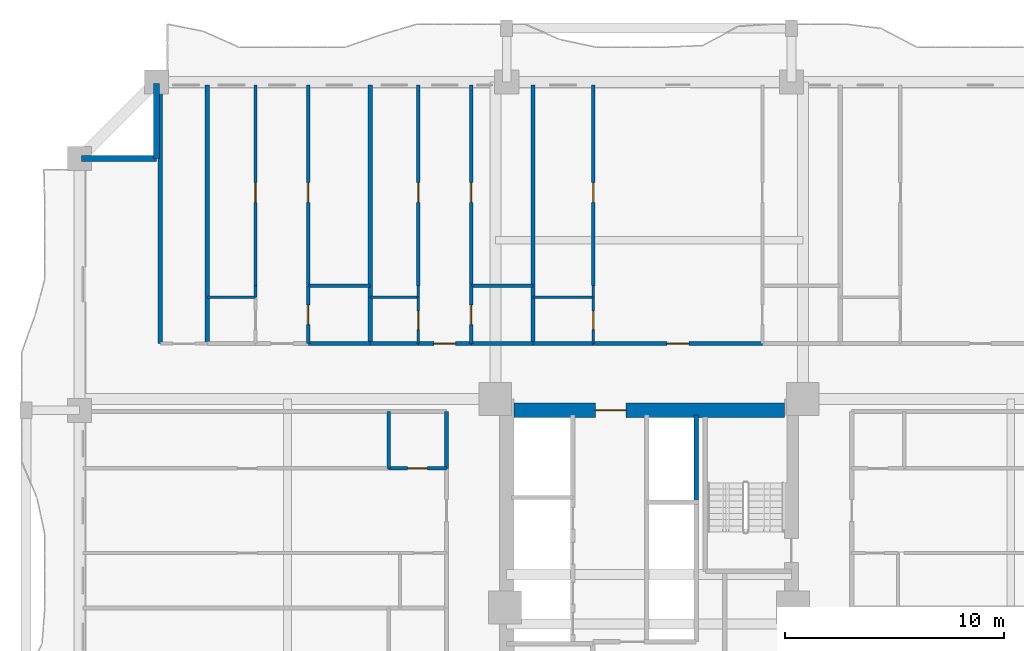
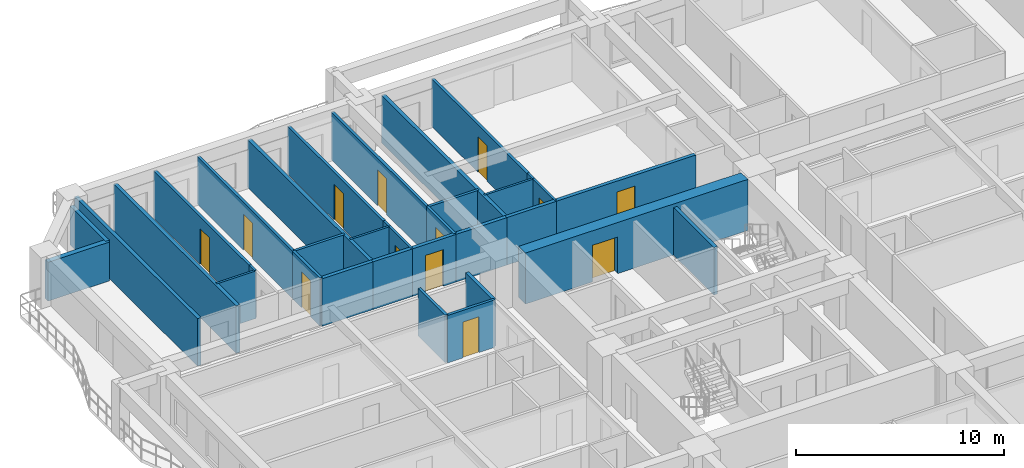
# One storey, part 6 of 15: 34 walls, 13 doors, 13 openings.
"""IFC4 building model written with IfcOpenShell, lengths in metres."""

import ifcopenshell
import ifcopenshell.guid

model = None  # the IFC model being written
_history = None  # IfcOwnerHistory: only IFC2X3 demands one
_inside = {}  # id of a spatial element -> (the spatial element, [elements in it])
_under = {}  # id of a project, library or spatial element -> (it, [spatial elements below it])
_declared = {}  # id of a project -> (the project, [libraries it declares])
_typed = {}  # id of a type object -> (the type object, [elements of that type])
_made_of = {}  # id of a material, layer set ... -> (it, [elements and type objects made of it])


def new_model(schema):
    """Start an empty IFC model of exactly this schema.

    Asked for "IFC4X3", IfcOpenShell would pick the latest addendum, in which some entities
    have other attributes; the version numbers below select the first issue.
    IFC2X3 requires an IfcOwnerHistory on every rooted entity: one is made here for all.
    """
    global model, _history
    if schema == "IFC4X3":
        model = ifcopenshell.file(schema_version=(4, 3, 0, 0))
    else:
        model = ifcopenshell.file(schema=schema)
    _inside.clear()
    _under.clear()
    _declared.clear()
    _typed.clear()
    _made_of.clear()
    _history = None
    if model.schema == "IFC2X3":
        org = make("IfcOrganization", Name="unknown")
        user = make(
            "IfcPersonAndOrganization",
            ThePerson=make("IfcPerson", FamilyName="unknown"),
            TheOrganization=org,
        )
        app = make(
            "IfcApplication",
            ApplicationDeveloper=org,
            Version="unknown",
            ApplicationFullName="unknown",
            ApplicationIdentifier="unknown",
        )
        _history = make(
            "IfcOwnerHistory",
            OwningUser=user,
            OwningApplication=app,
            ChangeAction="ADDED",
            CreationDate=0,
        )
    return model


def make(cls, **values):
    """One entity of the class cls with the attributes given. An attribute that is None is left unset."""
    return model.create_entity(
        cls, **{name: value for name, value in values.items() if value is not None}
    )


def rooted(cls, **values):
    """An entity with a GlobalId (a new one), such as an element, a storey or a relation."""
    return make(cls, GlobalId=ifcopenshell.guid.new(), OwnerHistory=_history, **values)


def si_unit(unit_type, name, prefix=None):
    """IfcSIUnit, for example si_unit("LENGTHUNIT", "METRE", prefix="MILLI")."""
    return make("IfcSIUnit", UnitType=unit_type, Prefix=prefix, Name=name)


def assignment(units):
    """IfcUnitAssignment: the units of a project."""
    return None if units is None else make("IfcUnitAssignment", Units=units)


def point(xyz):
    """IfcCartesianPoint."""
    return None if xyz is None else make("IfcCartesianPoint", Coordinates=xyz)


def direction(xyz):
    """IfcDirection."""
    return None if xyz is None else make("IfcDirection", DirectionRatios=xyz)


def frame(location, z_axis=None, x_axis=None):
    """IfcAxis2Placement3D, a coordinate frame: its origin and axes. An axis left out is left unset."""
    return make(
        "IfcAxis2Placement3D",
        Location=point(location),
        Axis=direction(z_axis),
        RefDirection=direction(x_axis),
    )


def frame_2d(location, x_axis=None):
    """IfcAxis2Placement2D, a coordinate frame in the plane: its origin and x axis."""
    return make(
        "IfcAxis2Placement2D", Location=point(location), RefDirection=direction(x_axis)
    )


def origin():
    """The frame at (0, 0, 0) with its axes left unset."""
    return frame((0.0, 0.0, 0.0))


def place(relative_to, where):
    """IfcLocalPlacement: puts the frame where relative to a parent placement (None: the world)."""
    return make(
        "IfcLocalPlacement", PlacementRelTo=relative_to, RelativePlacement=where
    )


def context(
    kind, dimensions, precision=None, world=None, true_north=None, identifier=None
):
    """IfcGeometricRepresentationContext, for example the 3D "Model" context."""
    return make(
        "IfcGeometricRepresentationContext",
        ContextIdentifier=identifier,
        ContextType=kind,
        CoordinateSpaceDimension=dimensions,
        Precision=precision,
        WorldCoordinateSystem=world,
        TrueNorth=true_north,
    )


def subcontext(parent, identifier, kind, view, scale=None):
    """IfcGeometricRepresentationSubContext, for example "Body" below "Model"."""
    return make(
        "IfcGeometricRepresentationSubContext",
        ContextIdentifier=identifier,
        ContextType=kind,
        ParentContext=parent,
        TargetScale=scale,
        TargetView=view,
    )


def project(units=None, contexts=None):
    """IfcProject with its units and contexts."""
    return rooted(
        "IfcProject",
        Name="project",
        RepresentationContexts=contexts,
        UnitsInContext=assignment(units),
    )


def spatial(cls, under=None, at=None, **own):
    """A site, building, storey or space (cls), placed at a placement, below another one or the project."""
    s = rooted(cls, ObjectPlacement=at, **own)
    if under is not None:
        _under.setdefault(under.id(), (under, []))[1].append(s)
    return s


def profile(cls, at=None, kind="AREA", **sizes):
    """A parametric profile (cls). Its sizes go by their IFC names, for example OverallWidth=200.0."""
    return make(cls, ProfileType=kind, Position=at, **sizes)


def rectangle(**sizes):
    """IfcRectangleProfileDef."""
    return profile("IfcRectangleProfileDef", **sizes)


def extrude(swept, where, along, depth):
    """IfcExtrudedAreaSolid: the profile swept, set in the frame where, extruded along a direction by depth."""
    return make(
        "IfcExtrudedAreaSolid",
        SweptArea=swept,
        Position=where,
        ExtrudedDirection=direction(along),
        Depth=depth,
    )


def shape(context_of_items, identifier, shape_type, items):
    """IfcShapeRepresentation: the items that make up one representation, for example the "Body"."""
    return make(
        "IfcShapeRepresentation",
        ContextOfItems=context_of_items,
        RepresentationIdentifier=identifier,
        RepresentationType=shape_type,
        Items=items,
    )


def source(mapping_origin, context_of_items, identifier, shape_type, items):
    """IfcRepresentationMap: a shape defined once, which mapped items show again and again."""
    return make(
        "IfcRepresentationMap",
        MappingOrigin=mapping_origin,
        MappedRepresentation=shape(context_of_items, identifier, shape_type, items),
    )


def transform(
    local_origin,
    x_axis=None,
    y_axis=None,
    z_axis=None,
    scale=None,
    scale2=None,
    scale3=None,
    uniform=True,
):
    """IfcCartesianTransformationOperator3D, or its non-uniform kind. x_axis, y_axis, z_axis: its Axis1, 2, 3."""
    if uniform:
        return make(
            "IfcCartesianTransformationOperator3D",
            Axis1=direction(x_axis),
            Axis2=direction(y_axis),
            LocalOrigin=point(local_origin),
            Scale=scale,
            Axis3=direction(z_axis),
        )
    return make(
        "IfcCartesianTransformationOperator3DnonUniform",
        Axis1=direction(x_axis),
        Axis2=direction(y_axis),
        LocalOrigin=point(local_origin),
        Scale=scale,
        Axis3=direction(z_axis),
        Scale2=scale2,
        Scale3=scale3,
    )


def mapped(mapping_source, mapping_target):
    """IfcMappedItem: shows the shape of a source again, moved by a transform."""
    return make(
        "IfcMappedItem", MappingSource=mapping_source, MappingTarget=mapping_target
    )


def material(Name=None, Category=None):
    """IfcMaterial."""
    return make("IfcMaterial", Name=Name, Category=Category)


def layer(
    of_material, thickness, ventilated=None, Name=None, Category=None, Priority=None
):
    """IfcMaterialLayer: one layer of a wall or slab, of a material (None: an air gap)."""
    return make(
        "IfcMaterialLayer",
        Material=of_material,
        LayerThickness=thickness,
        IsVentilated=ventilated,
        Name=Name,
        Category=Category,
        Priority=Priority,
    )


def layer_set(layers, Name=None):
    """IfcMaterialLayerSet."""
    return make("IfcMaterialLayerSet", MaterialLayers=layers, LayerSetName=Name)


def made_of(thing, what):
    """Note that an element or type object is made of a material, layer set ...; save() writes the relation."""
    if what is not None:
        _made_of.setdefault(what.id(), (what, []))[1].append(thing)
    return thing


def type_object(cls, material=None, **own):
    """A type object (cls), such as IfcWallType, which elements share."""
    return made_of(rooted(cls, **own), material)


def element(
    cls,
    number,
    at=None,
    inside=None,
    cuts=None,
    type_object=None,
    material=None,
    context=None,
    identifier="Body",
    shape_type=None,
    held_by="IfcProductDefinitionShape",
    body=None,
    shapes=None,
    **own,
):
    """One element of the class cls, such as IfcWall. Its Tag is "e" and its number.

    at: its placement. inside: the storey or other place that contains it. cuts: it is an
    opening in that element (IfcRelVoidsElement). A single representation is given by context,
    identifier, shape_type and body (its items); several are given by shapes. held_by: the class
    of the entity that holds the representations. save() writes the other relations.
    """
    e = rooted(cls, Tag="e%d" % number, ObjectPlacement=at, **own)
    if body is not None:
        shapes = [shape(context, identifier, shape_type, body)]
    if shapes is not None:
        e.Representation = make(held_by, Representations=shapes)
    if inside is not None:
        _inside.setdefault(inside.id(), (inside, []))[1].append(e)
    if cuts is not None:
        rooted(
            "IfcRelVoidsElement", RelatingBuildingElement=cuts, RelatedOpeningElement=e
        )
    if type_object is not None:
        _typed.setdefault(type_object.id(), (type_object, []))[1].append(e)
    return made_of(e, material)


def fill(opening, filler):
    """IfcRelFillsElement: the door or window that sits in an opening."""
    return rooted(
        "IfcRelFillsElement",
        RelatingOpeningElement=opening,
        RelatedBuildingElement=filler,
    )


def aggregate(whole, parts):
    """IfcRelAggregates: a whole, such as a stair, and the parts it consists of."""
    return rooted("IfcRelAggregates", RelatingObject=whole, RelatedObjects=parts)


def save(model, path):
    """Write the relations noted so far, then the file.

    IfcRelAggregates (storeys below a building ...), IfcRelContainedInSpatialStructure (elements
    in a storey), IfcRelDefinesByType, IfcRelAssociatesMaterial and IfcRelDeclares: one each for
    every whole, place, type object, material and project.
    """
    for whole, parts in _under.values():
        aggregate(whole, parts)
    for where, things in _inside.values():
        rooted(
            "IfcRelContainedInSpatialStructure",
            RelatedElements=things,
            RelatingStructure=where,
        )
    for kind, things in _typed.values():
        rooted("IfcRelDefinesByType", RelatedObjects=things, RelatingType=kind)
    for what, things in _made_of.values():
        rooted("IfcRelAssociatesMaterial", RelatedObjects=things, RelatingMaterial=what)
    for by, libraries in _declared.values():
        rooted("IfcRelDeclares", RelatingContext=by, RelatedDefinitions=libraries)
    model.write(path)


model = new_model("IFC4")

# Units and contexts
model_context = context("Model", 3, precision=1e-05, world=origin(), true_north=direction((0.0, 1.0)))
body_context = subcontext(model_context, "Body", "Model", "MODEL_VIEW")
ifc_project = project(units=[si_unit("LENGTHUNIT", "METRE"), si_unit("AREAUNIT", "SQUARE_METRE"), si_unit("VOLUMEUNIT", "CUBIC_METRE"), si_unit("PLANEANGLEUNIT", "RADIAN"), si_unit("MASSUNIT", "GRAM", prefix="KILO")], contexts=[model_context])

# Site, building, storey
site_placement = place(None, origin())
site = spatial("IfcSite", under=ifc_project, at=site_placement, CompositionType="ELEMENT")
building_placement = place(site_placement, origin())
building = spatial("IfcBuilding", under=site, at=building_placement, Name="Saelheon Loggia Tower", CompositionType="ELEMENT")
storey_placement = place(building_placement, frame((0.0, 0.0, 49.39990234375)))
storey = spatial("IfcBuildingStorey", under=building, at=storey_placement, Name="L15", CompositionType="ELEMENT", Elevation=49.39990234375)

# Wall, opening, door
ifc_material_1 = material(Name="Concrete C60/75", Category="concrete")
ifc_layer_1 = layer(ifc_material_1, 0.64990234375)
ifc_layer_set_1 = layer_set([ifc_layer_1], Name="Concrete C60/75")
wall_type_1 = type_object("IfcWallType", Name="Wall_CoreShear_650", PredefinedType="SHEAR", material=ifc_layer_set_1)
wall_1_placement = place(storey_placement, frame((31.824951171875, 36.0, 0.0), z_axis=(0.0, 0.0, 1.0), x_axis=(1.0, 0.0, 0.0)))
wall_1 = element("IfcWall", 1, at=wall_1_placement, inside=storey, type_object=wall_type_1, Name="L15 Core Shear Wall North", PredefinedType="SHEAR", context=body_context, shape_type="SweptSolid", body=[
    extrude(rectangle(XDim=12.35009765625, YDim=0.64990234375, at=frame_2d((6.175048828125, 0.0))), origin(), (0.0, 0.0, 1.0), 3.0),
])
opening_1_placement = place(wall_1_placement, frame((5.125, 0.0, 0.0), z_axis=(0.0, 0.0, 1.0), x_axis=(-1.0, 0.0, 0.0)))
opening_1 = element("IfcOpeningElement", 2, at=opening_1_placement, cuts=wall_1, Name="Opening D-FD2L", PredefinedType="OPENING", context=body_context, shape_type="SweptSolid", body=[
    extrude(rectangle(XDim=1.39990234375, YDim=2.14990234375, at=frame_2d((0.699951171875, 1.074951171875))), frame((0.0, 0.3369140625, 0.0), z_axis=(0.0, -1.0, 0.0), x_axis=(1.0, 0.0, 0.0)), (0.0, 0.0, 1.0), 0.673828125),
])
ifc_material_2 = material(Name="Galvanised Steel Glazed Lobby Fire Door", Category="steel")
door_type_1 = type_object("IfcDoorType", Name="Door_Fire_FD60_1400", OperationType="NOTDEFINED", PredefinedType="DOOR", material=ifc_material_2)
shared_shape_1 = source(origin(), body_context, "Body", "SweptSolid", [
    extrude(rectangle(XDim=1.39990234375, YDim=2.14990234375, at=frame_2d((0.699951171875, 1.074951171875))), frame((0.0, 0.02490234375, 0.0), z_axis=(0.0, -1.0, 0.0), x_axis=(1.0, 0.0, 0.0)), (0.0, 0.0, 1.0), 0.050048828125),
])
door_1_placement = place(opening_1_placement, origin())
door_1 = element("IfcDoor", 3, at=door_1_placement, inside=storey, type_object=door_type_1, Name="L15 Passenger Lift Lobby Main Door", OperationType="SINGLE_SWING_RIGHT", OverallHeight=2.14990234375, OverallWidth=1.39990234375, PredefinedType="DOOR", context=body_context, shape_type="MappedRepresentation", body=[
    mapped(shared_shape_1, transform((0.0, 0.0, 0.0), scale=1.0)),
])
fill(opening_1, door_1)

# Walls
ifc_material_3 = material(Name="Architectural Precast Concrete C40/50", Category="concrete")
ifc_layer_2 = layer(ifc_material_3, 0.280029296875)
ifc_layer_set_2 = layer_set([ifc_layer_2], Name="Architectural Precast Concrete C40/50")
wall_type_2 = type_object("IfcWallType", Name="Wall_Ext_Loggia_280", PredefinedType="SOLIDWALL", material=ifc_layer_set_2)
for number, where, z_axis, x_axis, name in (
    (4, (15.5, 47.5, 0.0), (0.0, 0.0, 1.0), (0.0, 1.0, 0.0), "L15 Corner Notch Precast Wall NW1"),
    (5, (12.080078125, 47.5, 0.0), (0.0, 0.0, 1.0), (1.0, 0.0, 0.0), "L15 Corner Notch Precast Wall NW2"),
):
    element("IfcWall", number, at=place(storey_placement, frame(where, z_axis=z_axis, x_axis=x_axis)), inside=storey, type_object=wall_type_2, Name=name, PredefinedType="SOLIDWALL", context=body_context, shape_type="SweptSolid", body=[
        extrude(rectangle(XDim=3.419921875, YDim=0.280029296875, at=frame_2d((1.7099609375, 0.0))), origin(), (0.0, 0.0, 1.0), 2.280029296875),
    ])
ifc_material_4 = material(Name="Lightweight Autoclaved Aerated Concrete Block and Acoustic Gypsum", Category="concrete")
ifc_layer_3 = layer(ifc_material_4, 0.14990234375)
ifc_layer_set_3 = layer_set([ifc_layer_3], Name="Lightweight Autoclaved Aerated Concrete Block and Acoustic Gypsum")
wall_type_3 = type_object("IfcWallType", Name="Wall_Part_150", PredefinedType="PARTITIONING", material=ifc_layer_set_3)
wall_2_placement = place(storey_placement, frame((22.440185546875, 41.68994140625, 0.0), z_axis=(0.0, 0.0, 1.0), x_axis=(1.0, 0.0, 0.0)))
element("IfcWall", 6, at=wall_2_placement, inside=storey, type_object=wall_type_3, Name="L15 N Partition V09", PredefinedType="PARTITIONING", context=body_context, shape_type="SweptSolid", body=[
    extrude(rectangle(XDim=2.82568359375, YDim=0.14990234375, at=frame_2d((1.412841796875, 0.0))), origin(), (0.0, 0.0, 1.0), 2.7900390625),
])

# Wall, opening, door
wall_3_placement = place(storey_placement, frame((20.030029296875, 41.68994140625, 0.0), z_axis=(0.0, 0.0, 1.0), x_axis=(0.0, 1.0, 0.0)))
wall_3 = element("IfcWall", 7, at=wall_3_placement, inside=storey, type_object=wall_type_3, Name="L15 N Partition U12", PredefinedType="PARTITIONING", context=body_context, shape_type="SweptSolid", body=[
    extrude(rectangle(XDim=9.16015625, YDim=0.14990234375, at=frame_2d((4.580078125, 0.0))), origin(), (0.0, 0.0, 1.0), 2.7900390625),
])
opening_2_placement = place(wall_3_placement, frame((3.805908203125, 0.0, 0.0)))
opening_2 = element("IfcOpeningElement", 8, at=opening_2_placement, cuts=wall_3, Name="Opening D-IN2", PredefinedType="OPENING", context=body_context, shape_type="SweptSolid", body=[
    extrude(rectangle(XDim=0.89990234375, YDim=2.10009765625, at=frame_2d((0.449951171875, 1.050048828125))), frame((0.0, 0.0869140625, 0.0), z_axis=(0.0, -1.0, 0.0), x_axis=(1.0, 0.0, 0.0)), (0.0, 0.0, 1.0), 0.173828125),
])
ifc_material_5 = material(Name="Engineered Oak Flush Door", Category="timber")
door_type_2 = type_object("IfcDoorType", Name="Door_Int_900", OperationType="NOTDEFINED", PredefinedType="DOOR", material=ifc_material_5)
shared_shape_2 = source(origin(), body_context, "Body", "SweptSolid", [
    extrude(rectangle(XDim=0.89990234375, YDim=2.10009765625, at=frame_2d((0.449951171875, 1.050048828125))), frame((0.0, 0.02490234375, 0.0), z_axis=(0.0, -1.0, 0.0), x_axis=(1.0, 0.0, 0.0)), (0.0, 0.0, 1.0), 0.050048828125),
])
door_2_placement = place(opening_2_placement, origin())
door_2 = element("IfcDoor", 9, at=door_2_placement, inside=storey, type_object=door_type_2, Name="Unit U03 Kitchen Door", OperationType="SINGLE_SWING_RIGHT", OverallHeight=2.10009765625, OverallWidth=0.89990234375, PredefinedType="DOOR", context=body_context, shape_type="MappedRepresentation", body=[
    mapped(shared_shape_2, transform((0.0, 0.0, 0.0), scale=1.0)),
])
fill(opening_2, door_2)

wall_4_placement = place(storey_placement, frame((22.440185546875, 39.050048828125, 0.0), z_axis=(0.0, 0.0, 1.0), x_axis=(0.0, 1.0, 0.0)))
wall_4 = element("IfcWall", 10, at=wall_4_placement, inside=storey, type_object=wall_type_3, Name="L15 N Partition U13", PredefinedType="PARTITIONING", context=body_context, shape_type="SweptSolid", body=[
    extrude(rectangle(XDim=2.639892578125, YDim=0.14990234375, at=frame_2d((1.31982421875, 0.0))), origin(), (0.0, 0.0, 1.0), 2.7900390625),
])
opening_3_placement = place(wall_4_placement, frame((0.8701171875, 0.0, 0.0)))
opening_3 = element("IfcOpeningElement", 11, at=opening_3_placement, cuts=wall_4, Name="Opening D-IN2", PredefinedType="OPENING", context=body_context, shape_type="SweptSolid", body=[
    extrude(rectangle(XDim=0.89990234375, YDim=2.10009765625, at=frame_2d((0.449951171875, 1.050048828125))), frame((0.0, 0.0869140625, 0.0), z_axis=(0.0, -1.0, 0.0), x_axis=(1.0, 0.0, 0.0)), (0.0, 0.0, 1.0), 0.173828125),
])
door_3_placement = place(opening_3_placement, origin())
door_3 = element("IfcDoor", 12, at=door_3_placement, inside=storey, type_object=door_type_2, Name="Unit U03 Dressing Closet Door", OperationType="SINGLE_SWING_LEFT", OverallHeight=2.10009765625, OverallWidth=0.89990234375, PredefinedType="DOOR", context=body_context, shape_type="MappedRepresentation", body=[
    mapped(shared_shape_2, transform((0.0, 0.0, 0.0), scale=1.0)),
])
fill(opening_3, door_3)

wall_5_placement = place(storey_placement, frame((22.440185546875, 41.68994140625, 0.0), z_axis=(0.0, 0.0, 1.0), x_axis=(0.0, 1.0, 0.0)))
wall_5 = element("IfcWall", 13, at=wall_5_placement, inside=storey, type_object=wall_type_3, Name="L15 N Partition U14", PredefinedType="PARTITIONING", context=body_context, shape_type="SweptSolid", body=[
    extrude(rectangle(XDim=9.16015625, YDim=0.14990234375, at=frame_2d((4.580078125, 0.0))), origin(), (0.0, 0.0, 1.0), 2.7900390625),
])
opening_4_placement = place(wall_5_placement, frame((3.805908203125, 0.0, 0.0)))
opening_4 = element("IfcOpeningElement", 14, at=opening_4_placement, cuts=wall_5, Name="Opening D-IN2", PredefinedType="OPENING", context=body_context, shape_type="SweptSolid", body=[
    extrude(rectangle(XDim=0.89990234375, YDim=2.10009765625, at=frame_2d((0.449951171875, 1.050048828125))), frame((0.0, 0.0869140625, 0.0), z_axis=(0.0, -1.0, 0.0), x_axis=(1.0, 0.0, 0.0)), (0.0, 0.0, 1.0), 0.173828125),
])
door_4_placement = place(opening_4_placement, origin())
door_4 = element("IfcDoor", 15, at=door_4_placement, inside=storey, type_object=door_type_2, Name="Unit U03 Bedroom 1 Door", OperationType="SINGLE_SWING_RIGHT", OverallHeight=2.10009765625, OverallWidth=0.89990234375, PredefinedType="DOOR", context=body_context, shape_type="MappedRepresentation", body=[
    mapped(shared_shape_2, transform((0.0, 0.0, 0.0), scale=1.0)),
])
fill(opening_4, door_4)

# Wall
wall_6_placement = place(storey_placement, frame((29.8759765625, 41.68994140625, 0.0), z_axis=(0.0, 0.0, 1.0), x_axis=(1.0, 0.0, 0.0)))
element("IfcWall", 16, at=wall_6_placement, inside=storey, type_object=wall_type_3, Name="L15 N Partition V20", PredefinedType="PARTITIONING", context=body_context, shape_type="SweptSolid", body=[
    extrude(rectangle(XDim=2.825439453125, YDim=0.14990234375, at=frame_2d((1.41259765625, 0.0))), origin(), (0.0, 0.0, 1.0), 2.7900390625),
])

# Wall, opening, door
wall_7_placement = place(storey_placement, frame((27.4658203125, 41.68994140625, 0.0), z_axis=(0.0, 0.0, 1.0), x_axis=(0.0, 1.0, 0.0)))
wall_7 = element("IfcWall", 17, at=wall_7_placement, inside=storey, type_object=wall_type_3, Name="L15 N Partition U23", PredefinedType="PARTITIONING", context=body_context, shape_type="SweptSolid", body=[
    extrude(rectangle(XDim=9.16015625, YDim=0.14990234375, at=frame_2d((4.580078125, 0.0))), origin(), (0.0, 0.0, 1.0), 2.7900390625),
])
opening_5_placement = place(wall_7_placement, frame((3.805908203125, 0.0, 0.0)))
opening_5 = element("IfcOpeningElement", 18, at=opening_5_placement, cuts=wall_7, Name="Opening D-IN2", PredefinedType="OPENING", context=body_context, shape_type="SweptSolid", body=[
    extrude(rectangle(XDim=0.89990234375, YDim=2.10009765625, at=frame_2d((0.449951171875, 1.050048828125))), frame((0.0, 0.0869140625, 0.0), z_axis=(0.0, -1.0, 0.0), x_axis=(1.0, 0.0, 0.0)), (0.0, 0.0, 1.0), 0.173828125),
])
door_5_placement = place(opening_5_placement, origin())
door_5 = element("IfcDoor", 19, at=door_5_placement, inside=storey, type_object=door_type_2, Name="Unit U04 Kitchen Door", OperationType="SINGLE_SWING_LEFT", OverallHeight=2.10009765625, OverallWidth=0.89990234375, PredefinedType="DOOR", context=body_context, shape_type="MappedRepresentation", body=[
    mapped(shared_shape_2, transform((0.0, 0.0, 0.0), scale=1.0)),
])
fill(opening_5, door_5)

wall_8_placement = place(storey_placement, frame((29.8759765625, 39.050048828125, 0.0), z_axis=(0.0, 0.0, 1.0), x_axis=(0.0, 1.0, 0.0)))
wall_8 = element("IfcWall", 20, at=wall_8_placement, inside=storey, type_object=wall_type_3, Name="L15 N Partition U24", PredefinedType="PARTITIONING", context=body_context, shape_type="SweptSolid", body=[
    extrude(rectangle(XDim=2.639892578125, YDim=0.14990234375, at=frame_2d((1.31982421875, 0.0))), origin(), (0.0, 0.0, 1.0), 2.7900390625),
])
opening_6_placement = place(wall_8_placement, frame((0.8701171875, 0.0, 0.0)))
opening_6 = element("IfcOpeningElement", 21, at=opening_6_placement, cuts=wall_8, Name="Opening D-IN2", PredefinedType="OPENING", context=body_context, shape_type="SweptSolid", body=[
    extrude(rectangle(XDim=0.89990234375, YDim=2.10009765625, at=frame_2d((0.449951171875, 1.050048828125))), frame((0.0, 0.0869140625, 0.0), z_axis=(0.0, -1.0, 0.0), x_axis=(1.0, 0.0, 0.0)), (0.0, 0.0, 1.0), 0.173828125),
])
door_6_placement = place(opening_6_placement, origin())
door_6 = element("IfcDoor", 22, at=door_6_placement, inside=storey, type_object=door_type_2, Name="Unit U04 Dressing Closet Door", OperationType="SINGLE_SWING_RIGHT", OverallHeight=2.10009765625, OverallWidth=0.89990234375, PredefinedType="DOOR", context=body_context, shape_type="MappedRepresentation", body=[
    mapped(shared_shape_2, transform((0.0, 0.0, 0.0), scale=1.0)),
])
fill(opening_6, door_6)

wall_9_placement = place(storey_placement, frame((29.8759765625, 41.68994140625, 0.0), z_axis=(0.0, 0.0, 1.0), x_axis=(0.0, 1.0, 0.0)))
wall_9 = element("IfcWall", 23, at=wall_9_placement, inside=storey, type_object=wall_type_3, Name="L15 N Partition U25", PredefinedType="PARTITIONING", context=body_context, shape_type="SweptSolid", body=[
    extrude(rectangle(XDim=9.16015625, YDim=0.14990234375, at=frame_2d((4.580078125, 0.0))), origin(), (0.0, 0.0, 1.0), 2.7900390625),
])
opening_7_placement = place(wall_9_placement, frame((3.805908203125, 0.0, 0.0)))
opening_7 = element("IfcOpeningElement", 24, at=opening_7_placement, cuts=wall_9, Name="Opening D-IN2", PredefinedType="OPENING", context=body_context, shape_type="SweptSolid", body=[
    extrude(rectangle(XDim=0.89990234375, YDim=2.10009765625, at=frame_2d((0.449951171875, 1.050048828125))), frame((0.0, 0.0869140625, 0.0), z_axis=(0.0, -1.0, 0.0), x_axis=(1.0, 0.0, 0.0)), (0.0, 0.0, 1.0), 0.173828125),
])
door_7_placement = place(opening_7_placement, origin())
door_7 = element("IfcDoor", 25, at=door_7_placement, inside=storey, type_object=door_type_2, Name="Unit U04 Bedroom 1 Door", OperationType="SINGLE_SWING_LEFT", OverallHeight=2.10009765625, OverallWidth=0.89990234375, PredefinedType="DOOR", context=body_context, shape_type="MappedRepresentation", body=[
    mapped(shared_shape_2, transform((0.0, 0.0, 0.0), scale=1.0)),
])
fill(opening_7, door_7)

wall_10_placement = place(storey_placement, frame((35.451416015625, 41.68994140625, 0.0), z_axis=(0.0, 0.0, 1.0), x_axis=(0.0, 1.0, 0.0)))
wall_10 = element("IfcWall", 26, at=wall_10_placement, inside=storey, type_object=wall_type_3, Name="L15 N Partition U34", PredefinedType="PARTITIONING", context=body_context, shape_type="SweptSolid", body=[
    extrude(rectangle(XDim=9.16015625, YDim=0.14990234375, at=frame_2d((4.580078125, 0.0))), origin(), (0.0, 0.0, 1.0), 2.7900390625),
])
opening_8_placement = place(wall_10_placement, frame((3.805908203125, 0.0, 0.0)))
opening_8 = element("IfcOpeningElement", 27, at=opening_8_placement, cuts=wall_10, Name="Opening D-IN2", PredefinedType="OPENING", context=body_context, shape_type="SweptSolid", body=[
    extrude(rectangle(XDim=0.89990234375, YDim=2.10009765625, at=frame_2d((0.449951171875, 1.050048828125))), frame((0.0, 0.0869140625, 0.0), z_axis=(0.0, -1.0, 0.0), x_axis=(1.0, 0.0, 0.0)), (0.0, 0.0, 1.0), 0.173828125),
])
door_8_placement = place(opening_8_placement, origin())
door_8 = element("IfcDoor", 28, at=door_8_placement, inside=storey, type_object=door_type_2, Name="Unit U05 Kitchen Door", OperationType="SINGLE_SWING_RIGHT", OverallHeight=2.10009765625, OverallWidth=0.89990234375, PredefinedType="DOOR", context=body_context, shape_type="MappedRepresentation", body=[
    mapped(shared_shape_2, transform((0.0, 0.0, 0.0), scale=1.0)),
])
fill(opening_8, door_8)

# Wall
wall_11_placement = place(storey_placement, frame((26.110107421875, 33.35009765625, 0.0), z_axis=(0.0, 0.0, 1.0), x_axis=(0.0, 1.0, 0.0)))
element("IfcWall", 29, at=wall_11_placement, inside=storey, type_object=wall_type_3, Name="L15 W Partition V18", PredefinedType="PARTITIONING", context=body_context, shape_type="SweptSolid", body=[
    extrude(rectangle(XDim=2.599853515625, YDim=0.14990234375, at=frame_2d((1.2998046875, 0.0))), origin(), (0.0, 0.0, 1.0), 2.7900390625),
])

# Wall, opening, door
wall_12_placement = place(storey_placement, frame((28.75, 33.35009765625, 0.0), z_axis=(0.0, 0.0, 1.0), x_axis=(-1.0, 0.0, 0.0)))
wall_12 = element("IfcWall", 30, at=wall_12_placement, inside=storey, type_object=wall_type_3, Name="L15 W Partition U22", PredefinedType="PARTITIONING", context=body_context, shape_type="SweptSolid", body=[
    extrude(rectangle(XDim=2.639892578125, YDim=0.14990234375, at=frame_2d((1.31982421875, 0.0))), origin(), (0.0, 0.0, 1.0), 2.7900390625),
])
opening_9_placement = place(wall_12_placement, frame((0.8701171875, 0.0, 0.0)))
opening_9 = element("IfcOpeningElement", 31, at=opening_9_placement, cuts=wall_12, Name="Opening D-IN2", PredefinedType="OPENING", context=body_context, shape_type="SweptSolid", body=[
    extrude(rectangle(XDim=0.89990234375, YDim=2.10009765625, at=frame_2d((0.449951171875, 1.050048828125))), frame((0.0, 0.0869140625, 0.0), z_axis=(0.0, -1.0, 0.0), x_axis=(1.0, 0.0, 0.0)), (0.0, 0.0, 1.0), 0.173828125),
])
door_9_placement = place(opening_9_placement, origin())
door_9 = element("IfcDoor", 32, at=door_9_placement, inside=storey, type_object=door_type_2, Name="Unit U08 Dressing Closet Door", OperationType="SINGLE_SWING_RIGHT", OverallHeight=2.10009765625, OverallWidth=0.89990234375, PredefinedType="DOOR", context=body_context, shape_type="MappedRepresentation", body=[
    mapped(shared_shape_2, transform((0.0, 0.0, 0.0), scale=1.0)),
])
fill(opening_9, door_9)

# Walls
ifc_material_6 = material(Name="Double Acoustic Stud and Fireboard Partition", Category="gypsum")
ifc_layer_4 = layer(ifc_material_6, 0.199951171875)
ifc_layer_set_4 = layer_set([ifc_layer_4], Name="Double Acoustic Stud and Fireboard Partition")
wall_type_4 = type_object("IfcWallType", Name="Wall_Party_200", PredefinedType="PARTITIONING", material=ifc_layer_set_4)
for number, where, z_axis, x_axis, name in (
    (33, (15.679931640625, 39.050048828125, 0.0), (0.0, 0.0, 1.0), (0.0, 1.0, 0.0), "L15 N Partition U01"),
    (34, (17.830078125, 39.050048828125, 0.0), (0.0, 0.0, 1.0), (0.0, 1.0, 0.0), "L15 N Partition U03"),
):
    element("IfcWall", number, at=place(storey_placement, frame(where, z_axis=z_axis, x_axis=x_axis)), inside=storey, type_object=wall_type_4, Name=name, PredefinedType="PARTITIONING", context=body_context, shape_type="SweptSolid", body=[
        extrude(rectangle(XDim=11.800048828125, YDim=0.199951171875, at=frame_2d((5.89990234375, 0.0))), origin(), (0.0, 0.0, 1.0), 2.7900390625),
    ])
wall_13_placement = place(storey_placement, frame((22.440185546875, 39.050048828125, 0.0), z_axis=(0.0, 0.0, 1.0), x_axis=(1.0, 0.0, 0.0)))
element("IfcWall", 35, at=wall_13_placement, inside=storey, type_object=wall_type_4, Name="L15 N Partition V07", PredefinedType="PARTITIONING", context=body_context, shape_type="SweptSolid", body=[
    extrude(rectangle(XDim=2.82568359375, YDim=0.199951171875, at=frame_2d((1.412841796875, 0.0))), origin(), (0.0, 0.0, 1.0), 2.7900390625),
])
wall_14_placement = place(storey_placement, frame((25.265869140625, 39.050048828125, 0.0), z_axis=(0.0, 0.0, 1.0), x_axis=(0.0, 1.0, 0.0)))
element("IfcWall", 36, at=wall_14_placement, inside=storey, type_object=wall_type_4, Name="L15 N Partition U15", PredefinedType="PARTITIONING", context=body_context, shape_type="SweptSolid", body=[
    extrude(rectangle(XDim=11.800048828125, YDim=0.199951171875, at=frame_2d((5.89990234375, 0.0))), origin(), (0.0, 0.0, 1.0), 2.7900390625),
])
wall_15_placement = place(storey_placement, frame((25.265869140625, 39.050048828125, 0.0), z_axis=(0.0, 0.0, 1.0), x_axis=(1.0, 0.0, 0.0)))
element("IfcWall", 37, at=wall_15_placement, inside=storey, type_object=wall_type_4, Name="L15 N Partition V16", PredefinedType="PARTITIONING", context=body_context, shape_type="SweptSolid", body=[
    extrude(rectangle(XDim=2.199951171875, YDim=0.199951171875, at=frame_2d((1.10009765625, 0.0))), origin(), (0.0, 0.0, 1.0), 2.7900390625),
])

# Wall, opening, door
wall_16_placement = place(storey_placement, frame((27.4658203125, 39.050048828125, 0.0), z_axis=(0.0, 0.0, 1.0), x_axis=(1.0, 0.0, 0.0)))
wall_16 = element("IfcWall", 38, at=wall_16_placement, inside=storey, type_object=wall_type_4, Name="L15 N Partition V17", PredefinedType="PARTITIONING", context=body_context, shape_type="SweptSolid", body=[
    extrude(rectangle(XDim=2.41015625, YDim=0.199951171875, at=frame_2d((1.205078125, 0.0))), origin(), (0.0, 0.0, 1.0), 2.7900390625),
])
opening_10_placement = place(wall_16_placement, frame((0.705078125, 0.0, 0.0)))
opening_10 = element("IfcOpeningElement", 39, at=opening_10_placement, cuts=wall_16, Name="Opening D-FD1", PredefinedType="OPENING", context=body_context, shape_type="SweptSolid", body=[
    extrude(rectangle(XDim=1.0, YDim=2.14990234375, at=frame_2d((0.5, 1.074951171875))), frame((0.0, 0.112060546875, 0.0), z_axis=(0.0, -1.0, 0.0), x_axis=(1.0, 0.0, 0.0)), (0.0, 0.0, 1.0), 0.223876953125),
])
ifc_material_7 = material(Name="Fire-Rated Engineered Timber Entrance Door", Category="wood")
door_type_3 = type_object("IfcDoorType", Name="Door_Flat_FD30S", OperationType="NOTDEFINED", PredefinedType="DOOR", material=ifc_material_7)
shared_shape_3 = source(origin(), body_context, "Body", "SweptSolid", [
    extrude(rectangle(XDim=1.0, YDim=2.14990234375, at=frame_2d((0.5, 1.074951171875))), frame((0.0, 0.02490234375, 0.0), z_axis=(0.0, -1.0, 0.0), x_axis=(1.0, 0.0, 0.0)), (0.0, 0.0, 1.0), 0.050048828125),
])
door_10_placement = place(opening_10_placement, origin())
door_10 = element("IfcDoor", 40, at=door_10_placement, inside=storey, type_object=door_type_3, Name="Unit U04 Entrance Door", OperationType="SINGLE_SWING_LEFT", OverallHeight=2.14990234375, OverallWidth=1.0, PredefinedType="DOOR", context=body_context, shape_type="MappedRepresentation", body=[
    mapped(shared_shape_3, transform((0.0, 0.0, 0.0), scale=1.0)),
])
fill(opening_10, door_10)

# Walls
wall_17_placement = place(storey_placement, frame((29.8759765625, 39.050048828125, 0.0), z_axis=(0.0, 0.0, 1.0), x_axis=(1.0, 0.0, 0.0)))
element("IfcWall", 41, at=wall_17_placement, inside=storey, type_object=wall_type_4, Name="L15 N Partition V18", PredefinedType="PARTITIONING", context=body_context, shape_type="SweptSolid", body=[
    extrude(rectangle(XDim=2.825439453125, YDim=0.199951171875, at=frame_2d((1.41259765625, 0.0))), origin(), (0.0, 0.0, 1.0), 2.7900390625),
])
wall_18_placement = place(storey_placement, frame((32.701416015625, 39.050048828125, 0.0), z_axis=(0.0, 0.0, 1.0), x_axis=(0.0, 1.0, 0.0)))
element("IfcWall", 42, at=wall_18_placement, inside=storey, type_object=wall_type_4, Name="L15 N Partition U26", PredefinedType="PARTITIONING", context=body_context, shape_type="SweptSolid", body=[
    extrude(rectangle(XDim=11.800048828125, YDim=0.199951171875, at=frame_2d((5.89990234375, 0.0))), origin(), (0.0, 0.0, 1.0), 2.7900390625),
])
wall_19_placement = place(storey_placement, frame((32.701416015625, 39.050048828125, 0.0), z_axis=(0.0, 0.0, 1.0), x_axis=(1.0, 0.0, 0.0)))
element("IfcWall", 43, at=wall_19_placement, inside=storey, type_object=wall_type_4, Name="L15 N Partition V27", PredefinedType="PARTITIONING", context=body_context, shape_type="SweptSolid", body=[
    extrude(rectangle(XDim=2.75, YDim=0.199951171875, at=frame_2d((1.375, 0.0))), origin(), (0.0, 0.0, 1.0), 2.7900390625),
])

# Wall, opening, door
wall_20_placement = place(storey_placement, frame((35.451416015625, 39.050048828125, 0.0), z_axis=(0.0, 0.0, 1.0), x_axis=(1.0, 0.0, 0.0)))
wall_20 = element("IfcWall", 44, at=wall_20_placement, inside=storey, type_object=wall_type_4, Name="L15 N Partition V28", PredefinedType="PARTITIONING", context=body_context, shape_type="SweptSolid", body=[
    extrude(rectangle(XDim=7.723876953125, YDim=0.199951171875, at=frame_2d((3.86181640625, 0.0))), origin(), (0.0, 0.0, 1.0), 2.7900390625),
])
opening_11_placement = place(wall_20_placement, frame((3.36181640625, 0.0, 0.0)))
opening_11 = element("IfcOpeningElement", 45, at=opening_11_placement, cuts=wall_20, Name="Opening D-FD1", PredefinedType="OPENING", context=body_context, shape_type="SweptSolid", body=[
    extrude(rectangle(XDim=1.0, YDim=2.14990234375, at=frame_2d((0.5, 1.074951171875))), frame((0.0, 0.112060546875, 0.0), z_axis=(0.0, -1.0, 0.0), x_axis=(1.0, 0.0, 0.0)), (0.0, 0.0, 1.0), 0.223876953125),
])
door_11_placement = place(opening_11_placement, origin())
door_11 = element("IfcDoor", 46, at=door_11_placement, inside=storey, type_object=door_type_3, Name="Unit U05 Entrance Door", OperationType="SINGLE_SWING_RIGHT", OverallHeight=2.14990234375, OverallWidth=1.0, PredefinedType="DOOR", context=body_context, shape_type="MappedRepresentation", body=[
    mapped(shared_shape_3, transform((0.0, 0.0, 0.0), scale=1.0)),
])
fill(opening_11, door_11)

# Walls
wall_21_placement = place(storey_placement, frame((28.75, 33.35009765625, 0.0), z_axis=(0.0, 0.0, 1.0), x_axis=(0.0, 1.0, 0.0)))
element("IfcWall", 47, at=wall_21_placement, inside=storey, type_object=wall_type_4, Name="L15 W Partition V16", PredefinedType="PARTITIONING", context=body_context, shape_type="SweptSolid", body=[
    extrude(rectangle(XDim=2.599853515625, YDim=0.199951171875, at=frame_2d((1.2998046875, 0.0))), origin(), (0.0, 0.0, 1.0), 2.7900390625),
])
ifc_material_8 = material(Name="Concrete C40/50", Category="concrete")
ifc_layer_5 = layer(ifc_material_8, 0.199951171875)
ifc_layer_set_5 = layer_set([ifc_layer_5], Name="Concrete C40/50")
wall_type_5 = type_object("IfcWallType", Name="Wall_Shaft_200", PredefinedType="PARTITIONING", material=ifc_layer_set_5)
wall_22_placement = place(storey_placement, frame((40.14990234375, 31.800048828125, 0.0), z_axis=(0.0, 0.0, 1.0), x_axis=(0.0, 1.0, 0.0)))
element("IfcWall", 48, at=wall_22_placement, inside=storey, type_object=wall_type_5, Name="L15 East High-Rise Hoistway East Wall", PredefinedType="PARTITIONING", context=body_context, shape_type="SweptSolid", body=[
    extrude(rectangle(XDim=3.97998046875, YDim=0.199951171875, at=frame_2d((1.989990234375, 0.0))), origin(), (0.0, 0.0, 1.0), 2.7900390625),
])
ifc_material_9 = material(Name="Moisture-Resistant Cement Board Partition", Category="gypsum")
ifc_layer_6 = layer(ifc_material_9, 0.1201171875)
ifc_layer_set_6 = layer_set([ifc_layer_6], Name="Moisture-Resistant Cement Board Partition")
wall_type_6 = type_object("IfcWallType", Name="Wall_WetPart_120", PredefinedType="PARTITIONING", material=ifc_layer_set_6)
wall_23_placement = place(storey_placement, frame((17.830078125, 41.169921875, 0.0), z_axis=(0.0, 0.0, 1.0), x_axis=(1.0, 0.0, 0.0)))
element("IfcWall", 49, at=wall_23_placement, inside=storey, type_object=wall_type_6, Name="L15 N Partition V08", PredefinedType="PARTITIONING", context=body_context, shape_type="SweptSolid", body=[
    extrude(rectangle(XDim=2.199951171875, YDim=0.1201171875, at=frame_2d((1.10009765625, 0.0))), origin(), (0.0, 0.0, 1.0), 2.7900390625),
])
wall_24_placement = place(storey_placement, frame((20.030029296875, 41.169921875, 0.0), z_axis=(0.0, 0.0, 1.0), x_axis=(0.0, 1.0, 0.0)))
element("IfcWall", 50, at=wall_24_placement, inside=storey, type_object=wall_type_6, Name="L15 N Partition U11", PredefinedType="PARTITIONING", context=body_context, shape_type="SweptSolid", body=[
    extrude(rectangle(XDim=0.52001953125, YDim=0.1201171875, at=frame_2d((0.260009765625, 0.0))), origin(), (0.0, 0.0, 1.0), 2.7900390625),
])
wall_25_placement = place(storey_placement, frame((25.265869140625, 41.169921875, 0.0), z_axis=(0.0, 0.0, 1.0), x_axis=(1.0, 0.0, 0.0)))
element("IfcWall", 51, at=wall_25_placement, inside=storey, type_object=wall_type_6, Name="L15 N Partition V19", PredefinedType="PARTITIONING", context=body_context, shape_type="SweptSolid", body=[
    extrude(rectangle(XDim=2.199951171875, YDim=0.1201171875, at=frame_2d((1.10009765625, 0.0))), origin(), (0.0, 0.0, 1.0), 2.7900390625),
])

# Wall, opening, door
wall_26_placement = place(storey_placement, frame((27.4658203125, 39.050048828125, 0.0), z_axis=(0.0, 0.0, 1.0), x_axis=(0.0, 1.0, 0.0)))
wall_26 = element("IfcWall", 52, at=wall_26_placement, inside=storey, type_object=wall_type_6, Name="L15 N Partition U21", PredefinedType="PARTITIONING", context=body_context, shape_type="SweptSolid", body=[
    extrude(rectangle(XDim=2.119873046875, YDim=0.1201171875, at=frame_2d((1.06005859375, 0.0))), origin(), (0.0, 0.0, 1.0), 2.7900390625),
])
opening_12_placement = place(wall_26_placement, frame((0.635009765625, 0.0, 0.0)))
opening_12 = element("IfcOpeningElement", 53, at=opening_12_placement, cuts=wall_26, Name="Opening D-BT1", PredefinedType="OPENING", context=body_context, shape_type="SweptSolid", body=[
    extrude(rectangle(XDim=0.85009765625, YDim=2.050048828125, at=frame_2d((0.425048828125, 1.02490234375))), frame((0.0, 0.072021484375, 0.0), z_axis=(0.0, -1.0, 0.0), x_axis=(1.0, 0.0, 0.0)), (0.0, 0.0, 1.0), 0.14404296875),
])
ifc_material_10 = material(Name="Moisture-Resistant Laminate Timber Door", Category="wood")
door_type_4 = type_object("IfcDoorType", Name="Door_Bath_850", OperationType="NOTDEFINED", PredefinedType="DOOR", material=ifc_material_10)
shared_shape_4 = source(origin(), body_context, "Body", "SweptSolid", [
    extrude(rectangle(XDim=0.85009765625, YDim=2.050048828125, at=frame_2d((0.425048828125, 1.02490234375))), frame((0.0, 0.02490234375, 0.0), z_axis=(0.0, -1.0, 0.0), x_axis=(1.0, 0.0, 0.0)), (0.0, 0.0, 1.0), 0.050048828125),
])
door_12_placement = place(opening_12_placement, origin())
door_12 = element("IfcDoor", 54, at=door_12_placement, inside=storey, type_object=door_type_4, Name="Unit U04 Bathroom Door", OperationType="SINGLE_SWING_RIGHT", OverallHeight=2.050048828125, OverallWidth=0.85009765625, PredefinedType="DOOR", context=body_context, shape_type="MappedRepresentation", body=[
    mapped(shared_shape_4, transform((0.0, 0.0, 0.0), scale=1.0)),
])
fill(opening_12, door_12)

# Walls
wall_27_placement = place(storey_placement, frame((27.4658203125, 41.169921875, 0.0), z_axis=(0.0, 0.0, 1.0), x_axis=(0.0, 1.0, 0.0)))
element("IfcWall", 55, at=wall_27_placement, inside=storey, type_object=wall_type_6, Name="L15 N Partition U22", PredefinedType="PARTITIONING", context=body_context, shape_type="SweptSolid", body=[
    extrude(rectangle(XDim=0.52001953125, YDim=0.1201171875, at=frame_2d((0.260009765625, 0.0))), origin(), (0.0, 0.0, 1.0), 2.7900390625),
])
wall_28_placement = place(storey_placement, frame((32.701416015625, 41.169921875, 0.0), z_axis=(0.0, 0.0, 1.0), x_axis=(1.0, 0.0, 0.0)))
element("IfcWall", 56, at=wall_28_placement, inside=storey, type_object=wall_type_6, Name="L15 N Partition V30", PredefinedType="PARTITIONING", context=body_context, shape_type="SweptSolid", body=[
    extrude(rectangle(XDim=2.75, YDim=0.1201171875, at=frame_2d((1.375, 0.0))), origin(), (0.0, 0.0, 1.0), 2.7900390625),
])

# Wall, opening, door
wall_29_placement = place(storey_placement, frame((35.451416015625, 39.050048828125, 0.0), z_axis=(0.0, 0.0, 1.0), x_axis=(0.0, 1.0, 0.0)))
wall_29 = element("IfcWall", 57, at=wall_29_placement, inside=storey, type_object=wall_type_6, Name="L15 N Partition U32", PredefinedType="PARTITIONING", context=body_context, shape_type="SweptSolid", body=[
    extrude(rectangle(XDim=2.119873046875, YDim=0.1201171875, at=frame_2d((1.06005859375, 0.0))), origin(), (0.0, 0.0, 1.0), 2.7900390625),
])
opening_13_placement = place(wall_29_placement, frame((0.635009765625, 0.0, 0.0)))
opening_13 = element("IfcOpeningElement", 58, at=opening_13_placement, cuts=wall_29, Name="Opening D-BT1", PredefinedType="OPENING", context=body_context, shape_type="SweptSolid", body=[
    extrude(rectangle(XDim=0.85009765625, YDim=2.050048828125, at=frame_2d((0.425048828125, 1.02490234375))), frame((0.0, 0.072021484375, 0.0), z_axis=(0.0, -1.0, 0.0), x_axis=(1.0, 0.0, 0.0)), (0.0, 0.0, 1.0), 0.14404296875),
])
door_13_placement = place(opening_13_placement, origin())
door_13 = element("IfcDoor", 59, at=door_13_placement, inside=storey, type_object=door_type_4, Name="Unit U05 Bathroom Door", OperationType="SINGLE_SWING_LEFT", OverallHeight=2.050048828125, OverallWidth=0.85009765625, PredefinedType="DOOR", context=body_context, shape_type="MappedRepresentation", body=[
    mapped(shared_shape_4, transform((0.0, 0.0, 0.0), scale=1.0)),
])
fill(opening_13, door_13)

# Wall
wall_30_placement = place(storey_placement, frame((35.451416015625, 41.169921875, 0.0), z_axis=(0.0, 0.0, 1.0), x_axis=(0.0, 1.0, 0.0)))
element("IfcWall", 60, at=wall_30_placement, inside=storey, type_object=wall_type_6, Name="L15 N Partition U33", PredefinedType="PARTITIONING", context=body_context, shape_type="SweptSolid", body=[
    extrude(rectangle(XDim=0.52001953125, YDim=0.1201171875, at=frame_2d((0.260009765625, 0.0))), origin(), (0.0, 0.0, 1.0), 2.7900390625),
])

save(model, "model.ifc")
